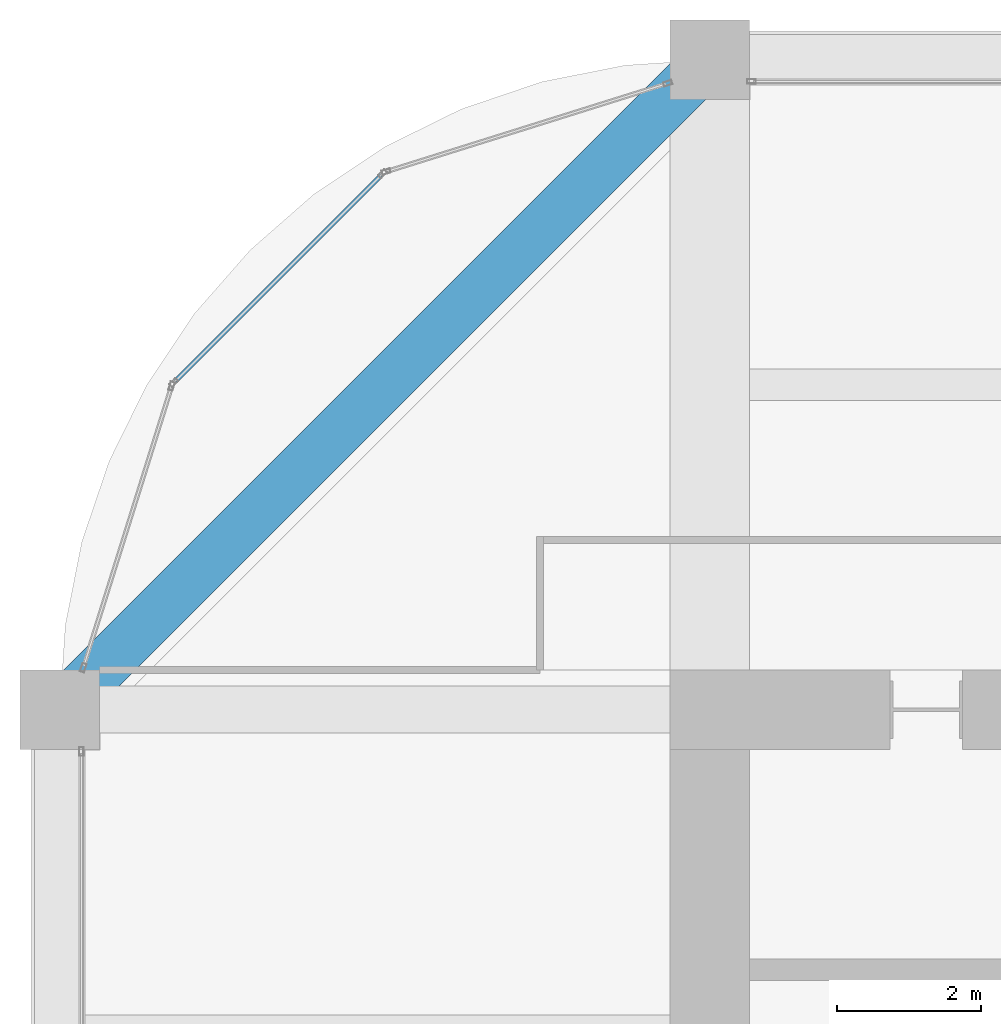
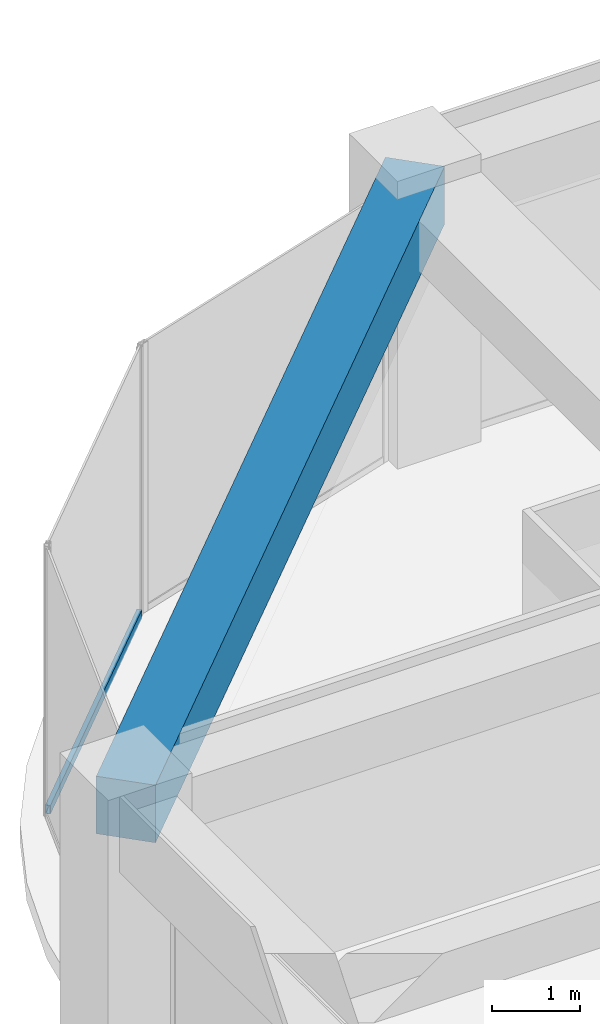
# One storey, part 29 of 44: 1 beam, 1 member, 1 element without a shape of its own.
"""IFC4 building model written with IfcOpenShell, lengths in metres."""

import ifcopenshell
import ifcopenshell.guid

model = None  # the IFC model being written
_history = None  # IfcOwnerHistory: only IFC2X3 demands one
_inside = {}  # id of a spatial element -> (the spatial element, [elements in it])
_under = {}  # id of a project, library or spatial element -> (it, [spatial elements below it])
_declared = {}  # id of a project -> (the project, [libraries it declares])
_typed = {}  # id of a type object -> (the type object, [elements of that type])
_made_of = {}  # id of a material, layer set ... -> (it, [elements and type objects made of it])


def new_model(schema):
    """Start an empty IFC model of exactly this schema.

    Asked for "IFC4X3", IfcOpenShell would pick the latest addendum, in which some entities
    have other attributes; the version numbers below select the first issue.
    IFC2X3 requires an IfcOwnerHistory on every rooted entity: one is made here for all.
    """
    global model, _history
    if schema == "IFC4X3":
        model = ifcopenshell.file(schema_version=(4, 3, 0, 0))
    else:
        model = ifcopenshell.file(schema=schema)
    _inside.clear()
    _under.clear()
    _declared.clear()
    _typed.clear()
    _made_of.clear()
    _history = None
    if model.schema == "IFC2X3":
        org = make("IfcOrganization", Name="unknown")
        user = make(
            "IfcPersonAndOrganization",
            ThePerson=make("IfcPerson", FamilyName="unknown"),
            TheOrganization=org,
        )
        app = make(
            "IfcApplication",
            ApplicationDeveloper=org,
            Version="unknown",
            ApplicationFullName="unknown",
            ApplicationIdentifier="unknown",
        )
        _history = make(
            "IfcOwnerHistory",
            OwningUser=user,
            OwningApplication=app,
            ChangeAction="ADDED",
            CreationDate=0,
        )
    return model


def make(cls, **values):
    """One entity of the class cls with the attributes given. An attribute that is None is left unset."""
    return model.create_entity(
        cls, **{name: value for name, value in values.items() if value is not None}
    )


def rooted(cls, **values):
    """An entity with a GlobalId (a new one), such as an element, a storey or a relation."""
    return make(cls, GlobalId=ifcopenshell.guid.new(), OwnerHistory=_history, **values)


def si_unit(unit_type, name, prefix=None):
    """IfcSIUnit, for example si_unit("LENGTHUNIT", "METRE", prefix="MILLI")."""
    return make("IfcSIUnit", UnitType=unit_type, Prefix=prefix, Name=name)


def assignment(units):
    """IfcUnitAssignment: the units of a project."""
    return None if units is None else make("IfcUnitAssignment", Units=units)


def point(xyz):
    """IfcCartesianPoint."""
    return None if xyz is None else make("IfcCartesianPoint", Coordinates=xyz)


def direction(xyz):
    """IfcDirection."""
    return None if xyz is None else make("IfcDirection", DirectionRatios=xyz)


def frame(location, z_axis=None, x_axis=None):
    """IfcAxis2Placement3D, a coordinate frame: its origin and axes. An axis left out is left unset."""
    return make(
        "IfcAxis2Placement3D",
        Location=point(location),
        Axis=direction(z_axis),
        RefDirection=direction(x_axis),
    )


def frame_2d(location, x_axis=None):
    """IfcAxis2Placement2D, a coordinate frame in the plane: its origin and x axis."""
    return make(
        "IfcAxis2Placement2D", Location=point(location), RefDirection=direction(x_axis)
    )


def origin():
    """The frame at (0, 0, 0) with its axes left unset."""
    return frame((0.0, 0.0, 0.0))


def origin_2d():
    """The frame at (0, 0) in the plane with its x axis left unset."""
    return frame_2d((0.0, 0.0))


def place(relative_to, where):
    """IfcLocalPlacement: puts the frame where relative to a parent placement (None: the world)."""
    return make(
        "IfcLocalPlacement", PlacementRelTo=relative_to, RelativePlacement=where
    )


def context(
    kind, dimensions, precision=None, world=None, true_north=None, identifier=None
):
    """IfcGeometricRepresentationContext, for example the 3D "Model" context."""
    return make(
        "IfcGeometricRepresentationContext",
        ContextIdentifier=identifier,
        ContextType=kind,
        CoordinateSpaceDimension=dimensions,
        Precision=precision,
        WorldCoordinateSystem=world,
        TrueNorth=true_north,
    )


def subcontext(parent, identifier, kind, view, scale=None):
    """IfcGeometricRepresentationSubContext, for example "Body" below "Model"."""
    return make(
        "IfcGeometricRepresentationSubContext",
        ContextIdentifier=identifier,
        ContextType=kind,
        ParentContext=parent,
        TargetScale=scale,
        TargetView=view,
    )


def project(units=None, contexts=None):
    """IfcProject with its units and contexts."""
    return rooted(
        "IfcProject",
        Name="project",
        RepresentationContexts=contexts,
        UnitsInContext=assignment(units),
    )


def spatial(cls, under=None, at=None, **own):
    """A site, building, storey or space (cls), placed at a placement, below another one or the project."""
    s = rooted(cls, ObjectPlacement=at, **own)
    if under is not None:
        _under.setdefault(under.id(), (under, []))[1].append(s)
    return s


def profile(cls, at=None, kind="AREA", **sizes):
    """A parametric profile (cls). Its sizes go by their IFC names, for example OverallWidth=200.0."""
    return make(cls, ProfileType=kind, Position=at, **sizes)


def rectangle(**sizes):
    """IfcRectangleProfileDef."""
    return profile("IfcRectangleProfileDef", **sizes)


def hollow_rectangle(**sizes):
    """IfcRectangleHollowProfileDef."""
    return profile("IfcRectangleHollowProfileDef", **sizes)


def extrude(swept, where, along, depth):
    """IfcExtrudedAreaSolid: the profile swept, set in the frame where, extruded along a direction by depth."""
    return make(
        "IfcExtrudedAreaSolid",
        SweptArea=swept,
        Position=where,
        ExtrudedDirection=direction(along),
        Depth=depth,
    )


def shape(context_of_items, identifier, shape_type, items):
    """IfcShapeRepresentation: the items that make up one representation, for example the "Body"."""
    return make(
        "IfcShapeRepresentation",
        ContextOfItems=context_of_items,
        RepresentationIdentifier=identifier,
        RepresentationType=shape_type,
        Items=items,
    )


def material(Name=None, Category=None):
    """IfcMaterial."""
    return make("IfcMaterial", Name=Name, Category=Category)


def material_profile(
    of_material, cross_section, Name=None, Category=None, Priority=None
):
    """IfcMaterialProfile: a cross section and its material."""
    return make(
        "IfcMaterialProfile",
        Name=Name,
        Material=of_material,
        Profile=cross_section,
        Priority=Priority,
        Category=Category,
    )


def profile_set(profiles, Name=None, composite=None):
    """IfcMaterialProfileSet."""
    return make(
        "IfcMaterialProfileSet",
        Name=Name,
        MaterialProfiles=profiles,
        CompositeProfile=composite,
    )


def made_of(thing, what):
    """Note that an element or type object is made of a material, layer set ...; save() writes the relation."""
    if what is not None:
        _made_of.setdefault(what.id(), (what, []))[1].append(thing)
    return thing


def type_object(cls, material=None, **own):
    """A type object (cls), such as IfcWallType, which elements share."""
    return made_of(rooted(cls, **own), material)


def element(
    cls,
    number,
    at=None,
    inside=None,
    cuts=None,
    type_object=None,
    material=None,
    context=None,
    identifier="Body",
    shape_type=None,
    held_by="IfcProductDefinitionShape",
    body=None,
    shapes=None,
    **own,
):
    """One element of the class cls, such as IfcWall. Its Tag is "e" and its number.

    at: its placement. inside: the storey or other place that contains it. cuts: it is an
    opening in that element (IfcRelVoidsElement). A single representation is given by context,
    identifier, shape_type and body (its items); several are given by shapes. held_by: the class
    of the entity that holds the representations. save() writes the other relations.
    """
    e = rooted(cls, Tag="e%d" % number, ObjectPlacement=at, **own)
    if body is not None:
        shapes = [shape(context, identifier, shape_type, body)]
    if shapes is not None:
        e.Representation = make(held_by, Representations=shapes)
    if inside is not None:
        _inside.setdefault(inside.id(), (inside, []))[1].append(e)
    if cuts is not None:
        rooted(
            "IfcRelVoidsElement", RelatingBuildingElement=cuts, RelatedOpeningElement=e
        )
    if type_object is not None:
        _typed.setdefault(type_object.id(), (type_object, []))[1].append(e)
    return made_of(e, material)


def aggregate(whole, parts):
    """IfcRelAggregates: a whole, such as a stair, and the parts it consists of."""
    return rooted("IfcRelAggregates", RelatingObject=whole, RelatedObjects=parts)


def save(model, path):
    """Write the relations noted so far, then the file.

    IfcRelAggregates (storeys below a building ...), IfcRelContainedInSpatialStructure (elements
    in a storey), IfcRelDefinesByType, IfcRelAssociatesMaterial and IfcRelDeclares: one each for
    every whole, place, type object, material and project.
    """
    for whole, parts in _under.values():
        aggregate(whole, parts)
    for where, things in _inside.values():
        rooted(
            "IfcRelContainedInSpatialStructure",
            RelatedElements=things,
            RelatingStructure=where,
        )
    for kind, things in _typed.values():
        rooted("IfcRelDefinesByType", RelatedObjects=things, RelatingType=kind)
    for what, things in _made_of.values():
        rooted("IfcRelAssociatesMaterial", RelatedObjects=things, RelatingMaterial=what)
    for by, libraries in _declared.values():
        rooted("IfcRelDeclares", RelatingContext=by, RelatedDefinitions=libraries)
    model.write(path)


model = new_model("IFC4")

# Units and contexts
model_context = context("Model", 3, precision=1e-05, world=origin(), true_north=direction((0.0, 1.0)))
body_context = subcontext(model_context, "Body", "Model", "MODEL_VIEW")
ifc_project = project(units=[si_unit("LENGTHUNIT", "METRE"), si_unit("AREAUNIT", "SQUARE_METRE"), si_unit("VOLUMEUNIT", "CUBIC_METRE"), si_unit("PLANEANGLEUNIT", "RADIAN"), si_unit("MASSUNIT", "GRAM", prefix="KILO")], contexts=[model_context])

# Site, building, storey
site_placement = place(None, origin())
site = spatial("IfcSite", under=ifc_project, at=site_placement, CompositionType="ELEMENT")
building_placement = place(site_placement, origin())
building = spatial("IfcBuilding", under=site, at=building_placement, Name="Zorevar Civic Tower", CompositionType="ELEMENT")
storey_placement = place(building_placement, frame((0.0, 0.0, 267.39990234375)))
storey = spatial("IfcBuildingStorey", under=building, at=storey_placement, Name="L65", CompositionType="ELEMENT", Elevation=267.39990234375)

# Curtain wall, member
ifc_material_1 = material(Name="Dark grey solar-control glass in black aluminium frame", Category="aluminium")
curtain_wall_type = type_object("IfcCurtainWallType", Name="Curtain wall CW5 top zone", PredefinedType="NOTDEFINED", material=ifc_material_1)
curtain_wall_placement = place(storey_placement, origin())
curtain_wall = element("IfcCurtainWall", 1, at=curtain_wall_placement, inside=storey, type_object=curtain_wall_type, Name="CW5 L65", PredefinedType="NOTDEFINED")
ifc_material_2 = material(Name="Aluminium, black anodised", Category="aluminium")
ifc_material_profile_1 = material_profile(ifc_material_2, hollow_rectangle(XDim=0.06005859375, YDim=0.1201171875, WallThickness=0.0029296875, at=origin_2d()), Name="AL 120x60x3")
ifc_profile_set_1 = profile_set([ifc_material_profile_1], Name="Aluminium, black anodised")
member_type = type_object("IfcMemberType", Name="CW5 transom AL 120x60x3", PredefinedType="USERDEFINED", material=ifc_profile_set_1)
member_placement = place(storey_placement, frame((13.44970703125, 43.3984375, 0.030029296875), z_axis=(-0.707106781187, -0.707106781187, 0.0), x_axis=(0.707106781187, -0.707106781187, 0.0)))
member = element("IfcMember", 2, at=member_placement, type_object=member_type, Name="CW5 sill transom", ObjectType="TRANSOM", PredefinedType="USERDEFINED", context=body_context, shape_type="SweptSolid", body=[
    extrude(hollow_rectangle(XDim=0.06005859375, YDim=0.1201171875, WallThickness=0.0029296875, at=origin_2d()), origin(), (0.0, 0.0, 1.0), 4.02783203125),
])
aggregate(curtain_wall, [member])

# Beam
ifc_material_3 = material(Name="Concrete C50/60", Category="concrete")
ifc_material_profile_2 = material_profile(ifc_material_3, rectangle(XDim=0.699951171875, YDim=0.800048828125, at=origin_2d()), Name="RC 700x800")
ifc_profile_set_2 = profile_set([ifc_material_profile_2], Name="Concrete C50/60")
beam_type = type_object("IfcBeamType", Name="Edge beam RC 700x800", PredefinedType="SPANDREL", material=ifc_profile_set_2)
beam_placement = place(storey_placement, frame((18.0, 45.0, 3.35009765625), z_axis=(-0.707106781187, -0.707106781187, 0.0), x_axis=(0.707106781187, -0.707106781187, 0.0)))
element("IfcBeam", 3, at=beam_placement, inside=storey, type_object=beam_type, Name="Corner edge beam L66", PredefinedType="SPANDREL", context=body_context, shape_type="SweptSolid", body=[
    extrude(rectangle(XDim=0.699951171875, YDim=0.800048828125, at=origin_2d()), origin(), (0.0, 0.0, 1.0), 12.72802734375),
])

save(model, "model.ifc")
